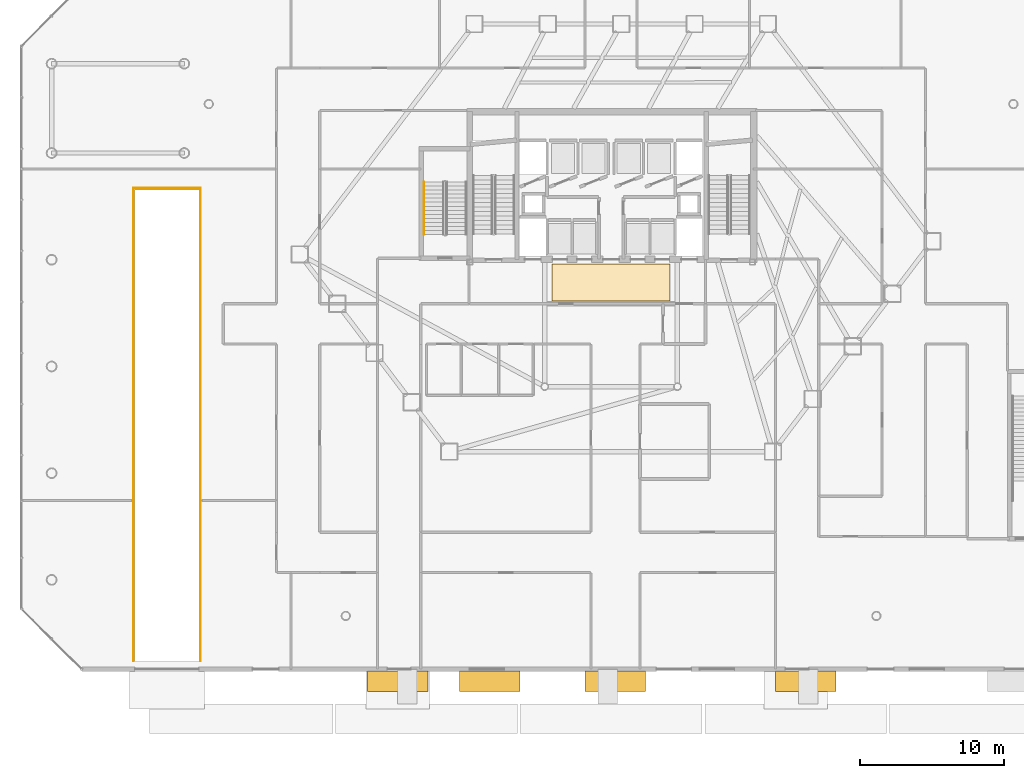
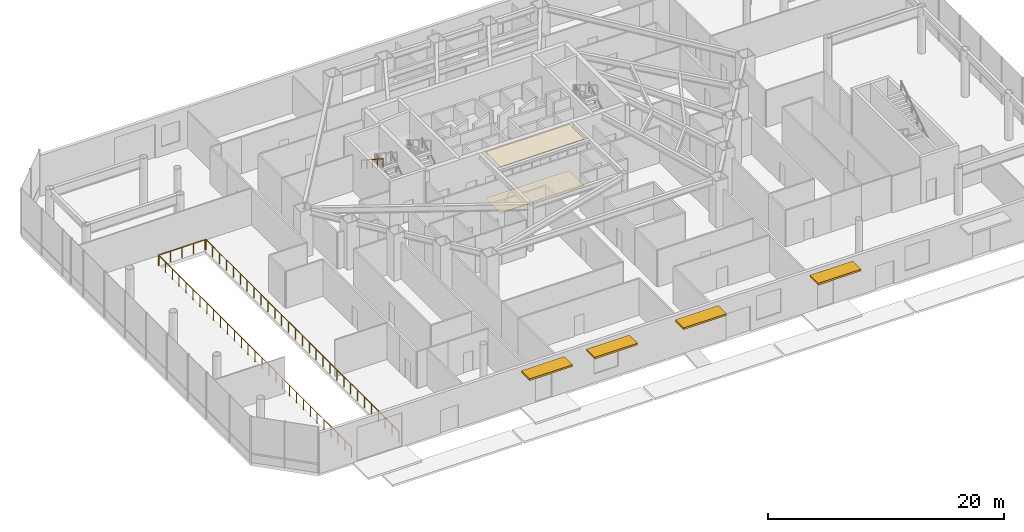
# One storey, part 28 of 31: 4 railings, 4 shading devices, 2 coverings.
"""IFC4 building model written with IfcOpenShell, lengths in metres."""

from ifc_helpers import new_model, si_unit, direction, frame, origin, origin_2d, place, context, subcontext, project, spatial, polyline, rectangle, circle, outline, extrude, material, layer, layer_set, type_object, element, save


model = new_model("IFC4")

# Units and contexts
model_context = context("Model", 3, precision=1e-05, world=origin(), true_north=direction((0.0, 1.0)))
body_context = subcontext(model_context, "Body", "Model", "MODEL_VIEW")
ifc_project = project(units=[si_unit("LENGTHUNIT", "METRE"), si_unit("AREAUNIT", "SQUARE_METRE"), si_unit("VOLUMEUNIT", "CUBIC_METRE"), si_unit("PLANEANGLEUNIT", "RADIAN"), si_unit("MASSUNIT", "GRAM", prefix="KILO")], contexts=[model_context])

# Site, building, storey
site_placement = place(None, origin())
site = spatial("IfcSite", under=ifc_project, at=site_placement, CompositionType="ELEMENT")
building_placement = place(site_placement, origin())
building = spatial("IfcBuilding", under=site, at=building_placement, Name="Zarrinselat Tower", CompositionType="ELEMENT")
storey_placement = place(building_placement, origin())
storey = spatial("IfcBuildingStorey", under=building, at=storey_placement, Name="L00", CompositionType="ELEMENT", Elevation=0.0)

# Coverings
ifc_material_1 = material(Name="Perforated Architectural Bronze")
ifc_layer_1 = layer(ifc_material_1, 0.02001953125)
ifc_layer_set_1 = layer_set([ifc_layer_1], Name="Perforated Architectural Bronze")
covering_type_1 = type_object("IfcCoveringType", Name="COV-CLG-BZ20", PredefinedType="CEILING", material=ifc_layer_set_1)
covering_1_placement = place(storey_placement, frame((0.0, 0.0, 4.800048828125)))
element("IfcCovering", 1, at=covering_1_placement, inside=storey, type_object=covering_type_1, Name="L00 Lift Lobby Acoustic Ceiling", PredefinedType="CEILING", context=body_context, shape_type="SweptSolid", body=[
    extrude(outline(polyline([(34.300048828125, 30.35009765625), (42.5, 30.35009765625), (42.5, 32.89990234375), (34.300048828125, 32.89990234375), (34.300048828125, 30.35009765625)])), origin(), (0.0, 0.0, 1.0), 0.02001953125),
])
ifc_material_2 = material(Name="Honed Cream Travertine Stone", Category="masonry")
ifc_layer_2 = layer(ifc_material_2, 0.02490234375)
ifc_layer_set_2 = layer_set([ifc_layer_2], Name="Honed Cream Travertine Stone")
covering_type_2 = type_object("IfcCoveringType", Name="COV-FLR-ST25", PredefinedType="FLOORING", material=ifc_layer_set_2)
covering_2_placement = place(storey_placement, origin())
element("IfcCovering", 2, at=covering_2_placement, inside=storey, type_object=covering_type_2, Name="L00 Lift Lobby Stone Flooring", PredefinedType="FLOORING", context=body_context, shape_type="SweptSolid", body=[
    extrude(outline(polyline([(34.300048828125, 30.35009765625), (42.5, 30.35009765625), (42.5, 32.89990234375), (34.300048828125, 32.89990234375), (34.300048828125, 30.35009765625)])), origin(), (0.0, 0.0, 1.0), 0.02490234375),
])

# Railings
ifc_material_3 = material(Name="Steel S355J2", Category="steel")
railing_type_1 = type_object("IfcRailingType", Name="RLG-STAIR-HAND", PredefinedType="HANDRAIL", material=ifc_material_3)
railing_1_placement = place(storey_placement, frame((25.429931640625, 38.590087890625, 2.732177734375)))
element("IfcRailing", 3, at=railing_1_placement, inside=storey, type_object=railing_type_1, Name="L00 ST-3 stair handrail 2", PredefinedType="HANDRAIL", context=body_context, shape_type="SweptSolid", body=[
    extrude(circle(Radius=0.02392578125, at=origin_2d()), frame((0.0, 0.0, 0.8759765625), z_axis=(0.0, -0.83825089185, 0.545284735081), x_axis=(1.0, 0.0, 0.0)), (0.0, 0.0, 1.0), 4.342529296875),
    extrude(circle(Radius=0.02099609375, at=origin_2d()), origin(), (0.0, 0.0, 1.0), 0.849853515625),
    extrude(circle(Radius=0.02099609375, at=origin_2d()), frame((0.0, -0.91015625, 0.592041015625)), (0.0, 0.0, 1.0), 0.849853515625),
    extrude(circle(Radius=0.02099609375, at=origin_2d()), frame((0.0, -1.820068359375, 1.18408203125)), (0.0, 0.0, 1.0), 0.849853515625),
    extrude(circle(Radius=0.02099609375, at=origin_2d()), frame((0.0, -2.72998046875, 1.77587890625)), (0.0, 0.0, 1.0), 0.849853515625),
    extrude(circle(Radius=0.02099609375, at=origin_2d()), frame((0.0, -3.64013671875, 2.367919921875)), (0.0, 0.0, 1.0), 0.849853515625),
])
ifc_material_4 = material(Name="Steel S355J2", Category="steel")
railing_type_2 = type_object("IfcRailingType", Name="RLG-TERR-GUARD", PredefinedType="GUARDRAIL", material=ifc_material_4)
railing_2_placement = place(storey_placement, frame((5.280029296875, 5.360107421875, 0.0)))
element("IfcRailing", 4, at=railing_2_placement, inside=storey, type_object=railing_type_2, Name="L00 Vehicle Ramp Well Guardrail W", PredefinedType="GUARDRAIL", context=body_context, shape_type="SweptSolid", body=[
    extrude(circle(Radius=0.02392578125, at=origin_2d()), frame((0.0, 0.0, 1.09619140625), z_axis=(0.0, 1.0, 0.0), x_axis=(-1.0, 0.0, 0.0)), (0.0, 0.0, 1.0), 32.7998046875),
    extrude(circle(Radius=0.02099609375, at=origin_2d()), origin(), (0.0, 0.0, 1.0), 1.070068359375),
    extrude(circle(Radius=0.02099609375, at=origin_2d()), frame((0.0, 1.17138671875, 0.0)), (0.0, 0.0, 1.0), 1.070068359375),
    extrude(circle(Radius=0.02099609375, at=origin_2d()), frame((0.0, 2.3427734375, 0.0)), (0.0, 0.0, 1.0), 1.070068359375),
    extrude(circle(Radius=0.02099609375, at=origin_2d()), frame((0.0, 3.51416015625, 0.0)), (0.0, 0.0, 1.0), 1.070068359375),
    extrude(circle(Radius=0.02099609375, at=origin_2d()), frame((0.0, 4.685791015625, 0.0)), (0.0, 0.0, 1.0), 1.070068359375),
    extrude(circle(Radius=0.02099609375, at=origin_2d()), frame((0.0, 5.857177734375, 0.0)), (0.0, 0.0, 1.0), 1.070068359375),
    extrude(circle(Radius=0.02099609375, at=origin_2d()), frame((0.0, 7.028564453125, 0.0)), (0.0, 0.0, 1.0), 1.070068359375),
    extrude(circle(Radius=0.02099609375, at=origin_2d()), frame((0.0, 8.199951171875, 0.0)), (0.0, 0.0, 1.0), 1.070068359375),
    extrude(circle(Radius=0.02099609375, at=origin_2d()), frame((0.0, 9.371337890625, 0.0)), (0.0, 0.0, 1.0), 1.070068359375),
    extrude(circle(Radius=0.02099609375, at=origin_2d()), frame((0.0, 10.542724609375, 0.0)), (0.0, 0.0, 1.0), 1.070068359375),
    extrude(circle(Radius=0.02099609375, at=origin_2d()), frame((0.0, 11.714111328125, 0.0)), (0.0, 0.0, 1.0), 1.070068359375),
    extrude(circle(Radius=0.02099609375, at=origin_2d()), frame((0.0, 12.8857421875, 0.0)), (0.0, 0.0, 1.0), 1.070068359375),
    extrude(circle(Radius=0.02099609375, at=origin_2d()), frame((0.0, 14.05712890625, 0.0)), (0.0, 0.0, 1.0), 1.070068359375),
    extrude(circle(Radius=0.02099609375, at=origin_2d()), frame((0.0, 15.228515625, 0.0)), (0.0, 0.0, 1.0), 1.070068359375),
    extrude(circle(Radius=0.02099609375, at=origin_2d()), frame((0.0, 16.39990234375, 0.0)), (0.0, 0.0, 1.0), 1.070068359375),
    extrude(circle(Radius=0.02099609375, at=origin_2d()), frame((0.0, 17.5712890625, 0.0)), (0.0, 0.0, 1.0), 1.070068359375),
    extrude(circle(Radius=0.02099609375, at=origin_2d()), frame((0.0, 18.74267578125, 0.0)), (0.0, 0.0, 1.0), 1.070068359375),
    extrude(circle(Radius=0.02099609375, at=origin_2d()), frame((0.0, 19.9140625, 0.0)), (0.0, 0.0, 1.0), 1.070068359375),
    extrude(circle(Radius=0.02099609375, at=origin_2d()), frame((0.0, 21.085693359375, 0.0)), (0.0, 0.0, 1.0), 1.070068359375),
    extrude(circle(Radius=0.02099609375, at=origin_2d()), frame((0.0, 22.257080078125, 0.0)), (0.0, 0.0, 1.0), 1.070068359375),
    extrude(circle(Radius=0.02099609375, at=origin_2d()), frame((0.0, 23.428466796875, 0.0)), (0.0, 0.0, 1.0), 1.070068359375),
    extrude(circle(Radius=0.02099609375, at=origin_2d()), frame((0.0, 24.599853515625, 0.0)), (0.0, 0.0, 1.0), 1.070068359375),
    extrude(circle(Radius=0.02099609375, at=origin_2d()), frame((0.0, 25.771240234375, 0.0)), (0.0, 0.0, 1.0), 1.070068359375),
    extrude(circle(Radius=0.02099609375, at=origin_2d()), frame((0.0, 26.942626953125, 0.0)), (0.0, 0.0, 1.0), 1.070068359375),
    extrude(circle(Radius=0.02099609375, at=origin_2d()), frame((0.0, 28.114013671875, 0.0)), (0.0, 0.0, 1.0), 1.070068359375),
    extrude(circle(Radius=0.02099609375, at=origin_2d()), frame((0.0, 29.28564453125, 0.0)), (0.0, 0.0, 1.0), 1.070068359375),
    extrude(circle(Radius=0.02099609375, at=origin_2d()), frame((0.0, 30.45703125, 0.0)), (0.0, 0.0, 1.0), 1.070068359375),
    extrude(circle(Radius=0.02099609375, at=origin_2d()), frame((0.0, 31.62841796875, 0.0)), (0.0, 0.0, 1.0), 1.070068359375),
    extrude(circle(Radius=0.02099609375, at=origin_2d()), frame((0.0, 32.7998046875, 0.0)), (0.0, 0.0, 1.0), 1.070068359375),
])
railing_3_placement = place(storey_placement, frame((5.340087890625, 38.159912109375, 0.0)))
element("IfcRailing", 5, at=railing_3_placement, inside=storey, type_object=railing_type_2, Name="L00 Vehicle Ramp Well Guardrail N", PredefinedType="GUARDRAIL", context=body_context, shape_type="SweptSolid", body=[
    extrude(circle(Radius=0.02392578125, at=origin_2d()), frame((0.0, 0.0, 1.09619140625), z_axis=(1.0, 0.0, 0.0), x_axis=(0.0, 1.0, 0.0)), (0.0, 0.0, 1.0), 4.52001953125),
    extrude(circle(Radius=0.02099609375, at=origin_2d()), origin(), (0.0, 0.0, 1.0), 1.070068359375),
    extrude(circle(Radius=0.02099609375, at=origin_2d()), frame((1.1298828125, 0.0, 0.0)), (0.0, 0.0, 1.0), 1.070068359375),
    extrude(circle(Radius=0.02099609375, at=origin_2d()), frame((2.260009765625, 0.0, 0.0)), (0.0, 0.0, 1.0), 1.070068359375),
    extrude(circle(Radius=0.02099609375, at=origin_2d()), frame((3.39013671875, 0.0, 0.0)), (0.0, 0.0, 1.0), 1.070068359375),
    extrude(circle(Radius=0.02099609375, at=origin_2d()), frame((4.52001953125, 0.0, 0.0)), (0.0, 0.0, 1.0), 1.070068359375),
])
railing_4_placement = place(storey_placement, frame((9.919921875, 38.159912109375, 0.0)))
element("IfcRailing", 6, at=railing_4_placement, inside=storey, type_object=railing_type_2, Name="L00 Vehicle Ramp Well Guardrail E", PredefinedType="GUARDRAIL", context=body_context, shape_type="SweptSolid", body=[
    extrude(circle(Radius=0.02392578125, at=origin_2d()), frame((0.0, 0.0, 1.09619140625), z_axis=(0.0, -1.0, 0.0), x_axis=(1.0, 0.0, 0.0)), (0.0, 0.0, 1.0), 32.7998046875),
    extrude(circle(Radius=0.02099609375, at=origin_2d()), origin(), (0.0, 0.0, 1.0), 1.070068359375),
    extrude(circle(Radius=0.02099609375, at=origin_2d()), frame((0.0, -1.17138671875, 0.0)), (0.0, 0.0, 1.0), 1.070068359375),
    extrude(circle(Radius=0.02099609375, at=origin_2d()), frame((0.0, -2.3427734375, 0.0)), (0.0, 0.0, 1.0), 1.070068359375),
    extrude(circle(Radius=0.02099609375, at=origin_2d()), frame((0.0, -3.51416015625, 0.0)), (0.0, 0.0, 1.0), 1.070068359375),
    extrude(circle(Radius=0.02099609375, at=origin_2d()), frame((0.0, -4.685791015625, 0.0)), (0.0, 0.0, 1.0), 1.070068359375),
    extrude(circle(Radius=0.02099609375, at=origin_2d()), frame((0.0, -5.857177734375, 0.0)), (0.0, 0.0, 1.0), 1.070068359375),
    extrude(circle(Radius=0.02099609375, at=origin_2d()), frame((0.0, -7.028564453125, 0.0)), (0.0, 0.0, 1.0), 1.070068359375),
    extrude(circle(Radius=0.02099609375, at=origin_2d()), frame((0.0, -8.199951171875, 0.0)), (0.0, 0.0, 1.0), 1.070068359375),
    extrude(circle(Radius=0.02099609375, at=origin_2d()), frame((0.0, -9.371337890625, 0.0)), (0.0, 0.0, 1.0), 1.070068359375),
    extrude(circle(Radius=0.02099609375, at=origin_2d()), frame((0.0, -10.542724609375, 0.0)), (0.0, 0.0, 1.0), 1.070068359375),
    extrude(circle(Radius=0.02099609375, at=origin_2d()), frame((0.0, -11.714111328125, 0.0)), (0.0, 0.0, 1.0), 1.070068359375),
    extrude(circle(Radius=0.02099609375, at=origin_2d()), frame((0.0, -12.8857421875, 0.0)), (0.0, 0.0, 1.0), 1.070068359375),
    extrude(circle(Radius=0.02099609375, at=origin_2d()), frame((0.0, -14.05712890625, 0.0)), (0.0, 0.0, 1.0), 1.070068359375),
    extrude(circle(Radius=0.02099609375, at=origin_2d()), frame((0.0, -15.228515625, 0.0)), (0.0, 0.0, 1.0), 1.070068359375),
    extrude(circle(Radius=0.02099609375, at=origin_2d()), frame((0.0, -16.39990234375, 0.0)), (0.0, 0.0, 1.0), 1.070068359375),
    extrude(circle(Radius=0.02099609375, at=origin_2d()), frame((0.0, -17.5712890625, 0.0)), (0.0, 0.0, 1.0), 1.070068359375),
    extrude(circle(Radius=0.02099609375, at=origin_2d()), frame((0.0, -18.74267578125, 0.0)), (0.0, 0.0, 1.0), 1.070068359375),
    extrude(circle(Radius=0.02099609375, at=origin_2d()), frame((0.0, -19.9140625, 0.0)), (0.0, 0.0, 1.0), 1.070068359375),
    extrude(circle(Radius=0.02099609375, at=origin_2d()), frame((0.0, -21.085693359375, 0.0)), (0.0, 0.0, 1.0), 1.070068359375),
    extrude(circle(Radius=0.02099609375, at=origin_2d()), frame((0.0, -22.257080078125, 0.0)), (0.0, 0.0, 1.0), 1.070068359375),
    extrude(circle(Radius=0.02099609375, at=origin_2d()), frame((0.0, -23.428466796875, 0.0)), (0.0, 0.0, 1.0), 1.070068359375),
    extrude(circle(Radius=0.02099609375, at=origin_2d()), frame((0.0, -24.599853515625, 0.0)), (0.0, 0.0, 1.0), 1.070068359375),
    extrude(circle(Radius=0.02099609375, at=origin_2d()), frame((0.0, -25.771240234375, 0.0)), (0.0, 0.0, 1.0), 1.070068359375),
    extrude(circle(Radius=0.02099609375, at=origin_2d()), frame((0.0, -26.942626953125, 0.0)), (0.0, 0.0, 1.0), 1.070068359375),
    extrude(circle(Radius=0.02099609375, at=origin_2d()), frame((0.0, -28.114013671875, 0.0)), (0.0, 0.0, 1.0), 1.070068359375),
    extrude(circle(Radius=0.02099609375, at=origin_2d()), frame((0.0, -29.28564453125, 0.0)), (0.0, 0.0, 1.0), 1.070068359375),
    extrude(circle(Radius=0.02099609375, at=origin_2d()), frame((0.0, -30.45703125, 0.0)), (0.0, 0.0, 1.0), 1.070068359375),
    extrude(circle(Radius=0.02099609375, at=origin_2d()), frame((0.0, -31.62841796875, 0.0)), (0.0, 0.0, 1.0), 1.070068359375),
    extrude(circle(Radius=0.02099609375, at=origin_2d()), frame((0.0, -32.7998046875, 0.0)), (0.0, 0.0, 1.0), 1.070068359375),
])

# Shading devices
ifc_material_5 = material(Name="Perforated Architectural Bronze")
shading_device_type = type_object("IfcShadingDeviceType", Name="SHD-PISHTAQ-CANOPY", PredefinedType="AWNING", material=ifc_material_5)
for number, where, z_axis, x_axis, name in (
    (7, (23.60009765625, 3.969970703125, 3.56005859375), (0.0, 0.0, 1.0), (1.0, 0.0, 0.0), "L00 Pishtaq Bronze Entrance Sunshade 1"),
    (8, (30.0, 3.969970703125, 3.56005859375), (0.0, 0.0, 1.0), (1.0, 0.0, 0.0), "L00 Pishtaq Bronze Entrance Sunshade 2"),
    (9, (38.699951171875, 3.969970703125, 3.56005859375), (0.0, 0.0, 1.0), (1.0, 0.0, 0.0), "L00 Pishtaq Bronze Entrance Sunshade 3"),
    (10, (51.89990234375, 3.969970703125, 3.56005859375), (0.0, 0.0, 1.0), (1.0, 0.0, 0.0), "L00 Pishtaq Bronze Entrance Sunshade 4"),
):
    element("IfcShadingDevice", number, at=place(storey_placement, frame(where, z_axis=z_axis, x_axis=x_axis)), inside=storey, type_object=shading_device_type, Name=name, PredefinedType="AWNING", context=body_context, shape_type="SweptSolid", body=[
        extrude(rectangle(XDim=4.199951171875, YDim=1.39990234375, at=origin_2d()), origin(), (0.0, 0.0, 1.0), 0.179931640625),
    ])

save(model, "model.ifc")
